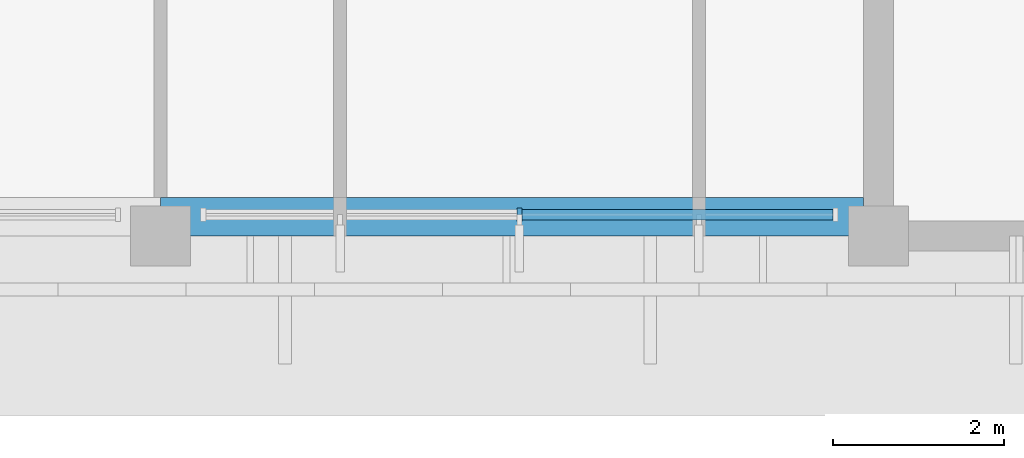
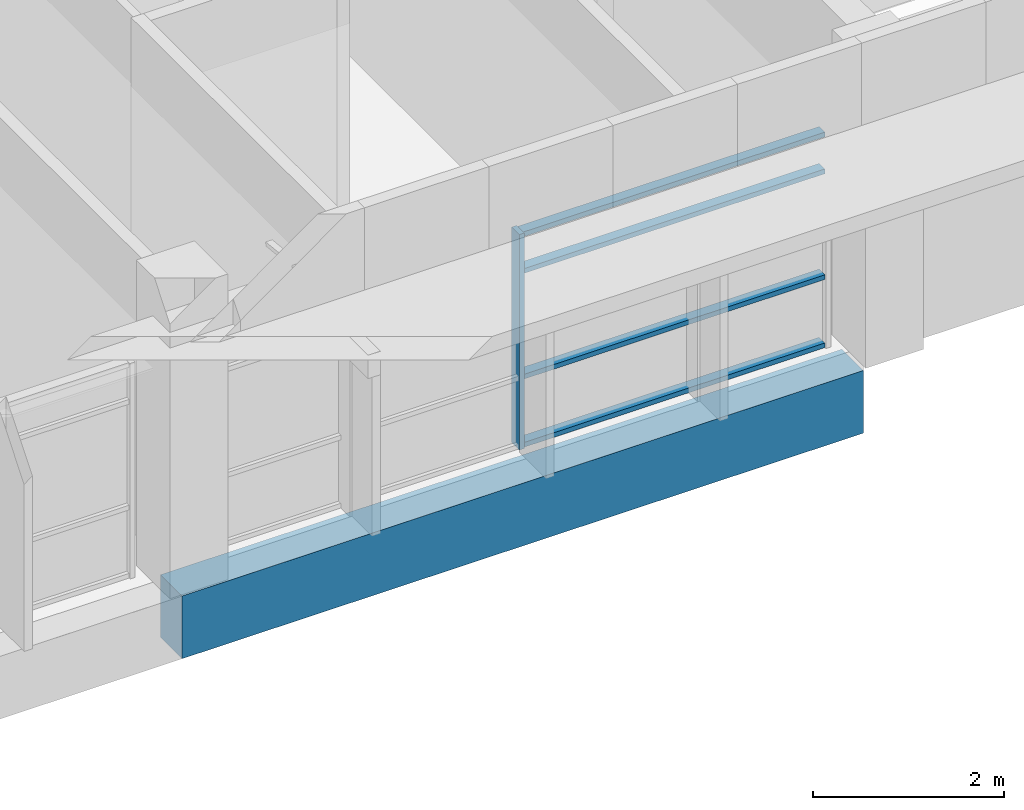
# One storey, part 3 of 71: 5 members, 1 beam, 1 element without a shape of its own.
"""IFC4 building model written with IfcOpenShell, lengths in metres."""

from ifc_helpers import new_model, si_unit, direction, frame, origin, origin_2d, place, context, subcontext, project, spatial, rectangle, extrude, material, material_profile, profile_set, type_object, element, aggregate, save


model = new_model("IFC4")

# Units and contexts
model_context = context("Model", 3, precision=1e-05, world=origin(), true_north=direction((0.0, 1.0)))
body_context = subcontext(model_context, "Body", "Model", "MODEL_VIEW")
ifc_project = project(units=[si_unit("LENGTHUNIT", "METRE"), si_unit("AREAUNIT", "SQUARE_METRE"), si_unit("VOLUMEUNIT", "CUBIC_METRE"), si_unit("PLANEANGLEUNIT", "RADIAN"), si_unit("MASSUNIT", "GRAM", prefix="KILO")], contexts=[model_context])

# Site, building, storey
site_placement = place(None, origin())
site = spatial("IfcSite", under=ifc_project, at=site_placement, CompositionType="ELEMENT")
building_placement = place(site_placement, origin())
building = spatial("IfcBuilding", under=site, at=building_placement, Name="Bougainvillea Quay General Hospital", CompositionType="ELEMENT")
storey_placement = place(building_placement, frame((0.0, 0.0, 24.89990234375)))
storey = spatial("IfcBuildingStorey", under=building, at=storey_placement, Name="L05", CompositionType="ELEMENT", Elevation=24.89990234375)

# Curtain wall, members
ifc_material_1 = material(Name="Aluminium curtain wall system, powder-coated glazed", Category="aluminium")
curtain_wall_type = type_object("IfcCurtainWallType", Name="Unitised curtain wall CW-3730", PredefinedType="NOTDEFINED", material=ifc_material_1)
curtain_wall_placement = place(storey_placement, origin())
curtain_wall = element("IfcCurtainWall", 1, at=curtain_wall_placement, inside=storey, type_object=curtain_wall_type, Name="CW-4200 02", PredefinedType="NOTDEFINED")
ifc_material_2 = material(Name="Aluminium mullion, powder-coated charcoal", Category="aluminium")
ifc_material_profile_1 = material_profile(ifc_material_2, rectangle(XDim=0.159912109375, YDim=0.06005859375, at=origin_2d()))
ifc_profile_set_1 = profile_set([ifc_material_profile_1], Name="Aluminium mullion, powder-coated charcoal")
member_type_1 = type_object("IfcMemberType", Name="Curtain wall mullion 160x60", PredefinedType="MULLION", material=ifc_profile_set_1)
member_1_placement = place(storey_placement, frame((71.39990234375, 117.85009765625, 0.0), z_axis=(0.0, 0.0, 1.0), x_axis=(0.0, 1.0, 0.0)))
member_1 = element("IfcMember", 2, at=member_1_placement, type_object=member_type_1, Name="CW-4200 mullion 2", PredefinedType="MULLION", context=body_context, shape_type="SweptSolid", body=[
    extrude(rectangle(XDim=0.159912109375, YDim=0.06005859375, at=origin_2d()), origin(), (0.0, 0.0, 1.0), 2.75),
])
ifc_material_3 = material(Name="Aluminium transom, powder-coated charcoal", Category="aluminium")
ifc_material_profile_2 = material_profile(ifc_material_3, rectangle(XDim=0.1201171875, YDim=0.06005859375, at=origin_2d()))
ifc_profile_set_2 = profile_set([ifc_material_profile_2], Name="Aluminium transom, powder-coated charcoal")
member_type_2 = type_object("IfcMemberType", Name="Curtain wall transom 120x60", PredefinedType="USERDEFINED", material=ifc_profile_set_2)
member_2_placement = place(storey_placement, frame((71.429931640625, 117.85009765625, 0.030029296875), z_axis=(1.0, 0.0, 0.0), x_axis=(0.0, 1.0, 0.0)))
member_2 = element("IfcMember", 3, at=member_2_placement, type_object=member_type_2, Name="CW-4200 transom 2.1", ObjectType="TRANSOM", PredefinedType="USERDEFINED", context=body_context, shape_type="SweptSolid", body=[
    extrude(rectangle(XDim=0.1201171875, YDim=0.06005859375, at=origin_2d()), origin(), (0.0, 0.0, 1.0), 3.64013671875),
])
member_3_placement = place(storey_placement, frame((71.429931640625, 117.85009765625, 0.900146484375), z_axis=(1.0, 0.0, 0.0), x_axis=(0.0, 1.0, 0.0)))
member_3 = element("IfcMember", 4, at=member_3_placement, type_object=member_type_2, Name="CW-4200 transom 2.2", ObjectType="TRANSOM", PredefinedType="USERDEFINED", context=body_context, shape_type="SweptSolid", body=[
    extrude(rectangle(XDim=0.1201171875, YDim=0.06005859375, at=origin_2d()), origin(), (0.0, 0.0, 1.0), 3.64013671875),
])
member_4_placement = place(storey_placement, frame((71.429931640625, 117.85009765625, 2.25), z_axis=(1.0, 0.0, 0.0), x_axis=(0.0, 1.0, 0.0)))
member_4 = element("IfcMember", 5, at=member_4_placement, type_object=member_type_2, Name="CW-4200 transom 2.3", ObjectType="TRANSOM", PredefinedType="USERDEFINED", context=body_context, shape_type="SweptSolid", body=[
    extrude(rectangle(XDim=0.1201171875, YDim=0.06005859375, at=origin_2d()), origin(), (0.0, 0.0, 1.0), 3.64013671875),
])
member_5_placement = place(storey_placement, frame((71.429931640625, 117.85009765625, 2.72021484375), z_axis=(1.0, 0.0, 0.0), x_axis=(0.0, 1.0, 0.0)))
member_5 = element("IfcMember", 6, at=member_5_placement, type_object=member_type_2, Name="CW-4200 transom 2.4", ObjectType="TRANSOM", PredefinedType="USERDEFINED", context=body_context, shape_type="SweptSolid", body=[
    extrude(rectangle(XDim=0.1201171875, YDim=0.06005859375, at=origin_2d()), origin(), (0.0, 0.0, 1.0), 3.64013671875),
])
aggregate(curtain_wall, [member_1, member_2, member_3, member_4, member_5])

# Beam
ifc_material_4 = material(Name="Concrete C40", Category="concrete")
ifc_material_profile_3 = material_profile(ifc_material_4, rectangle(XDim=0.449951171875, YDim=0.800048828125, at=origin_2d()))
ifc_profile_set_3 = profile_set([ifc_material_profile_3], Name="Concrete C40")
beam_type = type_object("IfcBeamType", Name="RC BEAM 450x800 C40", PredefinedType="BEAM", material=ifc_profile_set_3)
beam_placement = place(storey_placement, frame((67.199951171875, 117.824951171875, -0.699951171875), z_axis=(1.0, 0.0, 0.0), x_axis=(0.0, 1.0, 0.0)))
element("IfcBeam", 7, at=beam_placement, inside=storey, type_object=beam_type, Name="Edge beam L05", PredefinedType="BEAM", context=body_context, shape_type="SweptSolid", body=[
    extrude(rectangle(XDim=0.449951171875, YDim=0.800048828125, at=origin_2d()), origin(), (0.0, 0.0, 1.0), 8.22509765625),
])

save(model, "model.ifc")
